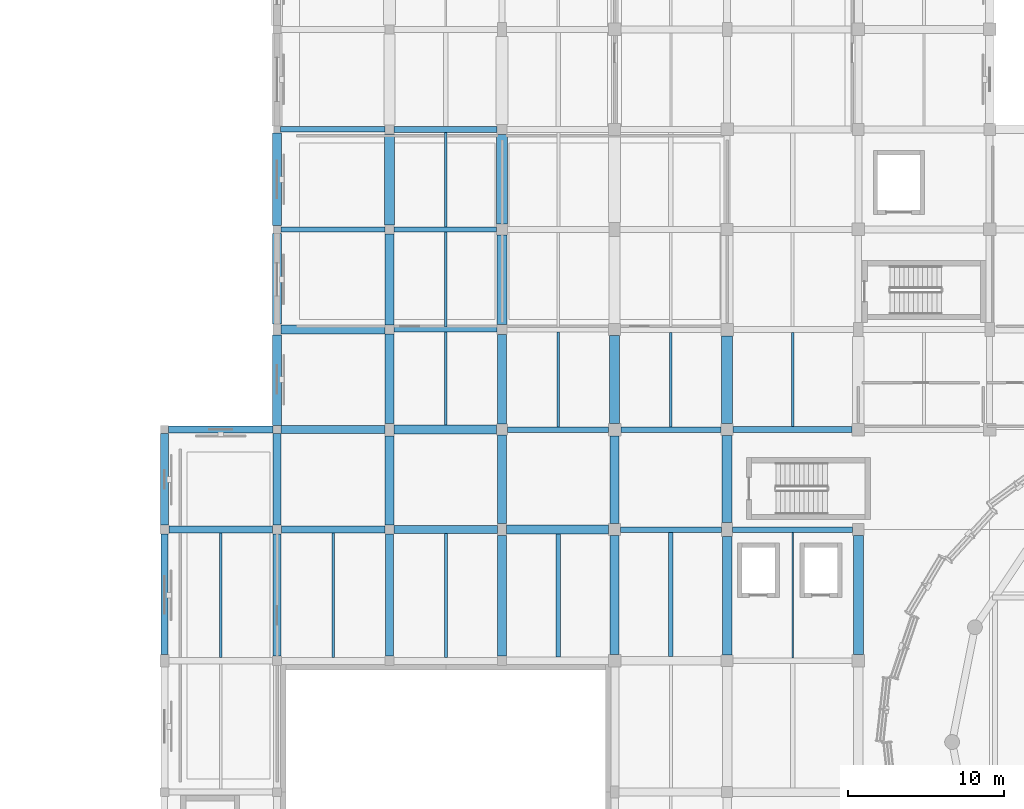
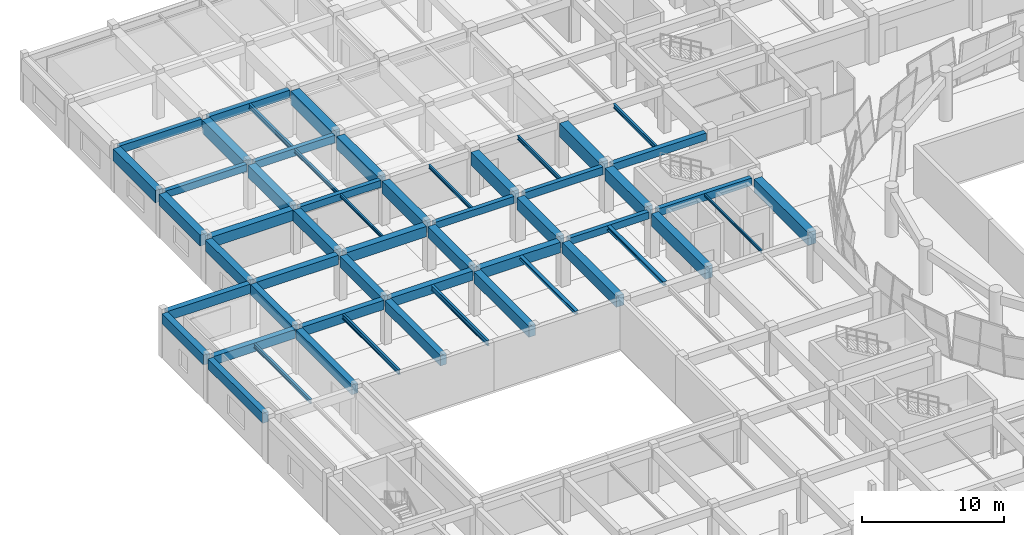
# One storey, part 32 of 71: 54 beams.
"""IFC4 building model written with IfcOpenShell, lengths in metres."""

from ifc_helpers import new_model, si_unit, direction, frame, origin, origin_2d, place, context, subcontext, project, spatial, rectangle, i_section, extrude, material, material_profile, profile_set, type_object, element, save


model = new_model("IFC4")

# Units and contexts
model_context = context("Model", 3, precision=1e-05, world=origin(), true_north=direction((0.0, 1.0)))
body_context = subcontext(model_context, "Body", "Model", "MODEL_VIEW")
ifc_project = project(units=[si_unit("LENGTHUNIT", "METRE"), si_unit("AREAUNIT", "SQUARE_METRE"), si_unit("VOLUMEUNIT", "CUBIC_METRE"), si_unit("PLANEANGLEUNIT", "RADIAN"), si_unit("MASSUNIT", "GRAM", prefix="KILO")], contexts=[model_context])

# Site, building, storey
site_placement = place(None, origin())
site = spatial("IfcSite", under=ifc_project, at=site_placement, CompositionType="ELEMENT")
building_placement = place(site_placement, origin())
building = spatial("IfcBuilding", under=site, at=building_placement, Name="Korsvaeld Concert Hall", CompositionType="ELEMENT")
storey_placement = place(building_placement, frame((0.0, 0.0, 4.800048828125)))
storey = spatial("IfcBuildingStorey", under=building, at=storey_placement, Name="L01", CompositionType="ELEMENT", Elevation=4.800048828125)

# Beams
ifc_material_1 = material(Name="Concrete C35/45", Category="concrete")
ifc_material_profile_1 = material_profile(ifc_material_1, rectangle(XDim=0.35009765625, YDim=0.60009765625, at=origin_2d()), Name="RC 350x600")
ifc_profile_set_1 = profile_set([ifc_material_profile_1], Name="Concrete C35/45")
beam_type_1 = type_object("IfcBeamType", Name="BM-RC-350x600", PredefinedType="T_BEAM", material=ifc_profile_set_1)
beam_1_placement = place(storey_placement, frame((43.574951171875, 76.800048828125, 3.5400390625), z_axis=(1.0, 0.0, 0.0), x_axis=(0.0, 1.0, 0.0)))
element("IfcBeam", 1, at=beam_1_placement, inside=storey, type_object=beam_type_1, Name="Primary girder 7-8/L L01", PredefinedType="T_BEAM", context=body_context, shape_type="SweptSolid", body=[
    extrude(rectangle(XDim=0.35009765625, YDim=0.60009765625, at=origin_2d()), origin(), (0.0, 0.0, 1.0), 6.47509765625),
])
beam_2_placement = place(storey_placement, frame((36.35009765625, 83.199951171875, 3.5400390625), z_axis=(1.0, 0.0, 0.0), x_axis=(0.0, 1.0, 0.0)))
element("IfcBeam", 2, at=beam_2_placement, inside=storey, type_object=beam_type_1, Name="Primary girder 6-7/M L01", PredefinedType="T_BEAM", context=body_context, shape_type="SweptSolid", body=[
    extrude(rectangle(XDim=0.35009765625, YDim=0.60009765625, at=origin_2d()), origin(), (0.0, 0.0, 1.0), 6.449951171875),
])
beam_3_placement = place(storey_placement, frame((29.074951171875, 89.60009765625, 3.5400390625), z_axis=(1.0, 0.0, 0.0), x_axis=(0.0, 1.0, 0.0)))
element("IfcBeam", 3, at=beam_3_placement, inside=storey, type_object=beam_type_1, Name="Primary girder 5-6/N L01", PredefinedType="T_BEAM", context=body_context, shape_type="SweptSolid", body=[
    extrude(rectangle(XDim=0.35009765625, YDim=0.60009765625, at=origin_2d()), origin(), (0.0, 0.0, 1.0), 6.60009765625),
])
beam_4_placement = place(storey_placement, frame((21.85009765625, 96.0, 3.5400390625), z_axis=(1.0, 0.0, 0.0), x_axis=(0.0, 1.0, 0.0)))
element("IfcBeam", 4, at=beam_4_placement, inside=storey, type_object=beam_type_1, Name="Primary girder 4-5/P L01", PredefinedType="T_BEAM", context=body_context, shape_type="SweptSolid", body=[
    extrude(rectangle(XDim=0.35009765625, YDim=0.60009765625, at=origin_2d()), origin(), (0.0, 0.0, 1.0), 6.64990234375),
])
ifc_material_profile_2 = material_profile(ifc_material_1, rectangle(XDim=0.35009765625, YDim=0.64990234375, at=origin_2d()), Name="RC 350x650")
ifc_profile_set_2 = profile_set([ifc_material_profile_2], Name="Concrete C35/45")
beam_type_2 = type_object("IfcBeamType", Name="BM-RC-350x650", PredefinedType="T_BEAM", material=ifc_profile_set_2)
beam_5_placement = place(storey_placement, frame((50.75, 76.800048828125, 3.514892578125), z_axis=(1.0, 0.0, 0.0), x_axis=(0.0, 1.0, 0.0)))
element("IfcBeam", 5, at=beam_5_placement, inside=storey, type_object=beam_type_2, Name="Primary girder 8-9/L L01", PredefinedType="T_BEAM", context=body_context, shape_type="SweptSolid", body=[
    extrude(rectangle(XDim=0.35009765625, YDim=0.64990234375, at=origin_2d()), origin(), (0.0, 0.0, 1.0), 7.675048828125),
])
beam_6_placement = place(storey_placement, frame((43.60009765625, 83.199951171875, 3.514892578125), z_axis=(1.0, 0.0, 0.0), x_axis=(0.0, 1.0, 0.0)))
element("IfcBeam", 6, at=beam_6_placement, inside=storey, type_object=beam_type_2, Name="Primary girder 7-8/M L01", PredefinedType="T_BEAM", context=body_context, shape_type="SweptSolid", body=[
    extrude(rectangle(XDim=0.35009765625, YDim=0.64990234375, at=origin_2d()), origin(), (0.0, 0.0, 1.0), 6.4248046875),
])
beam_7_placement = place(storey_placement, frame((29.10009765625, 96.0, 3.514892578125), z_axis=(1.0, 0.0, 0.0), x_axis=(0.0, 1.0, 0.0)))
element("IfcBeam", 7, at=beam_7_placement, inside=storey, type_object=beam_type_2, Name="Primary girder 5-6/P L01", PredefinedType="T_BEAM", context=body_context, shape_type="SweptSolid", body=[
    extrude(rectangle(XDim=0.35009765625, YDim=0.64990234375, at=origin_2d()), origin(), (0.0, 0.0, 1.0), 6.5498046875),
])
beam_8_placement = place(storey_placement, frame((21.824951171875, 102.39990234375, 3.514892578125), z_axis=(1.0, 0.0, 0.0), x_axis=(0.0, 1.0, 0.0)))
element("IfcBeam", 8, at=beam_8_placement, inside=storey, type_object=beam_type_2, Name="Primary girder 4-5/Q L01", PredefinedType="T_BEAM", context=body_context, shape_type="SweptSolid", body=[
    extrude(rectangle(XDim=0.35009765625, YDim=0.64990234375, at=origin_2d()), origin(), (0.0, 0.0, 1.0), 6.699951171875),
])
ifc_material_profile_3 = material_profile(ifc_material_1, rectangle(XDim=0.39990234375, YDim=0.64990234375, at=origin_2d()), Name="RC 400x650")
ifc_profile_set_3 = profile_set([ifc_material_profile_3], Name="Concrete C35/45")
beam_type_3 = type_object("IfcBeamType", Name="BM-RC-400x650", PredefinedType="T_BEAM", material=ifc_profile_set_3)
beam_9_placement = place(storey_placement, frame((50.77490234375, 83.199951171875, 3.514892578125), z_axis=(1.0, 0.0, 0.0), x_axis=(0.0, 1.0, 0.0)))
element("IfcBeam", 9, at=beam_9_placement, inside=storey, type_object=beam_type_3, Name="Primary girder 8-9/M L01", PredefinedType="T_BEAM", context=body_context, shape_type="SweptSolid", body=[
    extrude(rectangle(XDim=0.39990234375, YDim=0.64990234375, at=origin_2d()), origin(), (0.0, 0.0, 1.0), 7.625),
])
beam_10_placement = place(storey_placement, frame((29.074951171875, 102.39990234375, 3.514892578125), z_axis=(1.0, 0.0, 0.0), x_axis=(0.0, 1.0, 0.0)))
element("IfcBeam", 10, at=beam_10_placement, inside=storey, type_object=beam_type_3, Name="Primary girder 5-6/Q L01", PredefinedType="T_BEAM", context=body_context, shape_type="SweptSolid", body=[
    extrude(rectangle(XDim=0.39990234375, YDim=0.64990234375, at=origin_2d()), origin(), (0.0, 0.0, 1.0), 6.60009765625),
])
ifc_material_profile_4 = material_profile(ifc_material_1, rectangle(XDim=0.449951171875, YDim=0.75, at=origin_2d()), Name="RC 450x750")
ifc_profile_set_4 = profile_set([ifc_material_profile_4], Name="Concrete C35/45")
beam_type_4 = type_object("IfcBeamType", Name="BM-RC-450x750", PredefinedType="T_BEAM", material=ifc_profile_set_4)
beam_11_placement = place(storey_placement, frame((14.675048828125, 76.800048828125, 3.46484375), z_axis=(1.0, 0.0, 0.0), x_axis=(0.0, 1.0, 0.0)))
element("IfcBeam", 11, at=beam_11_placement, inside=storey, type_object=beam_type_4, Name="Primary girder 3-4/L L01", PredefinedType="T_BEAM", context=body_context, shape_type="SweptSolid", body=[
    extrude(rectangle(XDim=0.449951171875, YDim=0.75, at=origin_2d()), origin(), (0.0, 0.0, 1.0), 6.64990234375),
])
ifc_material_profile_5 = material_profile(ifc_material_1, rectangle(XDim=0.449951171875, YDim=0.800048828125, at=origin_2d()), Name="RC 450x800")
ifc_profile_set_5 = profile_set([ifc_material_profile_5], Name="Concrete C35/45")
beam_type_5 = type_object("IfcBeamType", Name="BM-RC-450x800", PredefinedType="T_BEAM", material=ifc_profile_set_5)
beam_12_placement = place(storey_placement, frame((21.875, 76.800048828125, 3.43994140625), z_axis=(1.0, 0.0, 0.0), x_axis=(0.0, 1.0, 0.0)))
element("IfcBeam", 12, at=beam_12_placement, inside=storey, type_object=beam_type_5, Name="Primary girder 4-5/L L01", PredefinedType="T_BEAM", context=body_context, shape_type="SweptSolid", body=[
    extrude(rectangle(XDim=0.449951171875, YDim=0.800048828125, at=origin_2d()), origin(), (0.0, 0.0, 1.0), 6.64990234375),
])
beam_13_placement = place(storey_placement, frame((14.64990234375, 83.199951171875, 3.43994140625), z_axis=(1.0, 0.0, 0.0), x_axis=(0.0, 1.0, 0.0)))
element("IfcBeam", 13, at=beam_13_placement, inside=storey, type_object=beam_type_5, Name="Primary girder 3-4/M L01", PredefinedType="T_BEAM", context=body_context, shape_type="SweptSolid", body=[
    extrude(rectangle(XDim=0.449951171875, YDim=0.800048828125, at=origin_2d()), origin(), (0.0, 0.0, 1.0), 6.7001953125),
])
ifc_material_2 = material(Name="Concrete C40/50", Category="concrete")
ifc_material_profile_6 = material_profile(ifc_material_2, rectangle(XDim=0.449951171875, YDim=0.85009765625, at=origin_2d()), Name="RC 450x850")
ifc_profile_set_6 = profile_set([ifc_material_profile_6], Name="Concrete C40/50")
beam_type_6 = type_object("IfcBeamType", Name="BM-RC-450x850", PredefinedType="T_BEAM", material=ifc_profile_set_6)
beam_14_placement = place(storey_placement, frame((14.39990234375, 68.800048828125, 3.4150390625), z_axis=(0.0, 1.0, 0.0), x_axis=(-1.0, 0.0, 0.0)))
element("IfcBeam", 14, at=beam_14_placement, inside=storey, type_object=beam_type_6, Name="Primary girder 3/K-L L01", PredefinedType="T_BEAM", context=body_context, shape_type="SweptSolid", body=[
    extrude(rectangle(XDim=0.449951171875, YDim=0.85009765625, at=origin_2d()), origin(), (0.0, 0.0, 1.0), 7.724853515625),
])
ifc_material_profile_7 = material_profile(ifc_material_2, rectangle(XDim=0.5, YDim=0.800048828125, at=origin_2d()), Name="RC 500x800")
ifc_profile_set_7 = profile_set([ifc_material_profile_7], Name="Concrete C40/50")
beam_type_7 = type_object("IfcBeamType", Name="BM-RC-500x800", PredefinedType="T_BEAM", material=ifc_profile_set_7)
beam_15_placement = place(storey_placement, frame((29.074951171875, 76.800048828125, 3.43994140625), z_axis=(1.0, 0.0, 0.0), x_axis=(0.0, 1.0, 0.0)))
element("IfcBeam", 15, at=beam_15_placement, inside=storey, type_object=beam_type_7, Name="Primary girder 5-6/L L01", PredefinedType="T_BEAM", context=body_context, shape_type="SweptSolid", body=[
    extrude(rectangle(XDim=0.5, YDim=0.800048828125, at=origin_2d()), origin(), (0.0, 0.0, 1.0), 6.650146484375),
])
beam_16_placement = place(storey_placement, frame((21.85009765625, 83.199951171875, 3.43994140625), z_axis=(1.0, 0.0, 0.0), x_axis=(0.0, 1.0, 0.0)))
element("IfcBeam", 16, at=beam_16_placement, inside=storey, type_object=beam_type_7, Name="Primary girder 4-5/M L01", PredefinedType="T_BEAM", context=body_context, shape_type="SweptSolid", body=[
    extrude(rectangle(XDim=0.5, YDim=0.800048828125, at=origin_2d()), origin(), (0.0, 0.0, 1.0), 6.64990234375),
])
ifc_material_profile_8 = material_profile(ifc_material_2, rectangle(XDim=0.5, YDim=0.85009765625, at=origin_2d()), Name="RC 500x850")
ifc_profile_set_8 = profile_set([ifc_material_profile_8], Name="Concrete C40/50")
beam_type_8 = type_object("IfcBeamType", Name="BM-RC-500x850", PredefinedType="T_BEAM", material=ifc_profile_set_8)
beam_17_placement = place(storey_placement, frame((14.39990234375, 77.074951171875, 3.4150390625), z_axis=(0.0, 1.0, 0.0), x_axis=(-1.0, 0.0, 0.0)))
element("IfcBeam", 17, at=beam_17_placement, inside=storey, type_object=beam_type_8, Name="Primary girder 3/L-M L01", PredefinedType="T_BEAM", context=body_context, shape_type="SweptSolid", body=[
    extrude(rectangle(XDim=0.5, YDim=0.85009765625, at=origin_2d()), origin(), (0.0, 0.0, 1.0), 5.875),
])
beam_18_placement = place(storey_placement, frame((21.60009765625, 68.699951171875, 3.4150390625), z_axis=(0.0, 1.0, 0.0), x_axis=(-1.0, 0.0, 0.0)))
element("IfcBeam", 18, at=beam_18_placement, inside=storey, type_object=beam_type_8, Name="Primary girder 4/K-L L01", PredefinedType="T_BEAM", context=body_context, shape_type="SweptSolid", body=[
    extrude(rectangle(XDim=0.5, YDim=0.85009765625, at=origin_2d()), origin(), (0.0, 0.0, 1.0), 7.824951171875),
])
ifc_material_profile_9 = material_profile(ifc_material_2, rectangle(XDim=0.5, YDim=0.89990234375, at=origin_2d()), Name="RC 500x900")
ifc_profile_set_9 = profile_set([ifc_material_profile_9], Name="Concrete C40/50")
beam_type_9 = type_object("IfcBeamType", Name="BM-RC-500x900", PredefinedType="T_BEAM", material=ifc_profile_set_9)
beam_19_placement = place(storey_placement, frame((21.60009765625, 77.074951171875, 3.389892578125), z_axis=(0.0, 1.0, 0.0), x_axis=(-1.0, 0.0, 0.0)))
element("IfcBeam", 19, at=beam_19_placement, inside=storey, type_object=beam_type_9, Name="Primary girder 4/L-M L01", PredefinedType="T_BEAM", context=body_context, shape_type="SweptSolid", body=[
    extrude(rectangle(XDim=0.5, YDim=0.89990234375, at=origin_2d()), origin(), (0.0, 0.0, 1.0), 5.875),
])
beam_20_placement = place(storey_placement, frame((28.800048828125, 68.699951171875, 3.389892578125), z_axis=(0.0, 1.0, 0.0), x_axis=(-1.0, 0.0, 0.0)))
element("IfcBeam", 20, at=beam_20_placement, inside=storey, type_object=beam_type_9, Name="Primary girder 5/K-L L01", PredefinedType="T_BEAM", context=body_context, shape_type="SweptSolid", body=[
    extrude(rectangle(XDim=0.5, YDim=0.89990234375, at=origin_2d()), origin(), (0.0, 0.0, 1.0), 7.824951171875),
])
ifc_material_profile_10 = material_profile(ifc_material_2, rectangle(XDim=0.550048828125, YDim=0.89990234375, at=origin_2d()), Name="RC 550x900")
ifc_profile_set_10 = profile_set([ifc_material_profile_10], Name="Concrete C40/50")
beam_type_10 = type_object("IfcBeamType", Name="BM-RC-550x900", PredefinedType="T_BEAM", material=ifc_profile_set_10)
beam_21_placement = place(storey_placement, frame((36.27490234375, 76.800048828125, 3.389892578125), z_axis=(1.0, 0.0, 0.0), x_axis=(0.0, 1.0, 0.0)))
element("IfcBeam", 21, at=beam_21_placement, inside=storey, type_object=beam_type_10, Name="Primary girder 6-7/L L01", PredefinedType="T_BEAM", context=body_context, shape_type="SweptSolid", body=[
    extrude(rectangle(XDim=0.550048828125, YDim=0.89990234375, at=origin_2d()), origin(), (0.0, 0.0, 1.0), 6.550048828125),
])
beam_22_placement = place(storey_placement, frame((29.10009765625, 83.199951171875, 3.389892578125), z_axis=(1.0, 0.0, 0.0), x_axis=(0.0, 1.0, 0.0)))
element("IfcBeam", 22, at=beam_22_placement, inside=storey, type_object=beam_type_10, Name="Primary girder 5-6/M L01", PredefinedType="T_BEAM", context=body_context, shape_type="SweptSolid", body=[
    extrude(rectangle(XDim=0.550048828125, YDim=0.89990234375, at=origin_2d()), origin(), (0.0, 0.0, 1.0), 6.5498046875),
])
beam_23_placement = place(storey_placement, frame((21.85009765625, 89.60009765625, 3.389892578125), z_axis=(1.0, 0.0, 0.0), x_axis=(0.0, 1.0, 0.0)))
element("IfcBeam", 23, at=beam_23_placement, inside=storey, type_object=beam_type_10, Name="Primary girder 4-5/N L01", PredefinedType="T_BEAM", context=body_context, shape_type="SweptSolid", body=[
    extrude(rectangle(XDim=0.550048828125, YDim=0.89990234375, at=origin_2d()), origin(), (0.0, 0.0, 1.0), 6.6748046875),
])
ifc_material_profile_11 = material_profile(ifc_material_2, rectangle(XDim=0.550048828125, YDim=0.949951171875, at=origin_2d()), Name="RC 550x950")
ifc_profile_set_11 = profile_set([ifc_material_profile_11], Name="Concrete C40/50")
beam_type_11 = type_object("IfcBeamType", Name="BM-RC-550x950", PredefinedType="T_BEAM", material=ifc_profile_set_11)
beam_24_placement = place(storey_placement, frame((21.60009765625, 83.449951171875, 3.364990234375), z_axis=(0.0, 1.0, 0.0), x_axis=(-1.0, 0.0, 0.0)))
element("IfcBeam", 24, at=beam_24_placement, inside=storey, type_object=beam_type_11, Name="Primary girder 4/M-N L01", PredefinedType="T_BEAM", context=body_context, shape_type="SweptSolid", body=[
    extrude(rectangle(XDim=0.550048828125, YDim=0.949951171875, at=origin_2d()), origin(), (0.0, 0.0, 1.0), 5.800048828125),
])
beam_25_placement = place(storey_placement, frame((28.800048828125, 77.074951171875, 3.364990234375), z_axis=(0.0, 1.0, 0.0), x_axis=(-1.0, 0.0, 0.0)))
element("IfcBeam", 25, at=beam_25_placement, inside=storey, type_object=beam_type_11, Name="Primary girder 5/L-M L01", PredefinedType="T_BEAM", context=body_context, shape_type="SweptSolid", body=[
    extrude(rectangle(XDim=0.550048828125, YDim=0.949951171875, at=origin_2d()), origin(), (0.0, 0.0, 1.0), 5.72509765625),
])
beam_26_placement = place(storey_placement, frame((36.0, 68.699951171875, 3.364990234375), z_axis=(0.0, 1.0, 0.0), x_axis=(-1.0, 0.0, 0.0)))
element("IfcBeam", 26, at=beam_26_placement, inside=storey, type_object=beam_type_11, Name="Primary girder 6/K-L L01", PredefinedType="T_BEAM", context=body_context, shape_type="SweptSolid", body=[
    extrude(rectangle(XDim=0.550048828125, YDim=0.949951171875, at=origin_2d()), origin(), (0.0, 0.0, 1.0), 7.72509765625),
])
ifc_material_profile_12 = material_profile(ifc_material_2, rectangle(XDim=0.60009765625, YDim=1.050048828125, at=origin_2d()), Name="RC 600x1050")
ifc_profile_set_12 = profile_set([ifc_material_profile_12], Name="Concrete C40/50")
beam_type_12 = type_object("IfcBeamType", Name="BM-RC-600x1050", PredefinedType="T_BEAM", material=ifc_profile_set_12)
beam_27_placement = place(storey_placement, frame((21.60009765625, 96.25, 3.31494140625), z_axis=(0.0, 1.0, 0.0), x_axis=(-1.0, 0.0, 0.0)))
element("IfcBeam", 27, at=beam_27_placement, inside=storey, type_object=beam_type_12, Name="Primary girder 4/P-Q L01", PredefinedType="T_BEAM", context=body_context, shape_type="SweptSolid", body=[
    extrude(rectangle(XDim=0.60009765625, YDim=1.050048828125, at=origin_2d()), origin(), (0.0, 0.0, 1.0), 5.925048828125),
])
beam_28_placement = place(storey_placement, frame((28.800048828125, 89.875, 3.31494140625), z_axis=(0.0, 1.0, 0.0), x_axis=(-1.0, 0.0, 0.0)))
element("IfcBeam", 28, at=beam_28_placement, inside=storey, type_object=beam_type_12, Name="Primary girder 5/N-P L01", PredefinedType="T_BEAM", context=body_context, shape_type="SweptSolid", body=[
    extrude(rectangle(XDim=0.60009765625, YDim=1.050048828125, at=origin_2d()), origin(), (0.0, 0.0, 1.0), 5.824951171875),
])
beam_29_placement = place(storey_placement, frame((36.0, 83.550048828125, 3.31494140625), z_axis=(0.0, 1.0, 0.0), x_axis=(-1.0, 0.0, 0.0)))
element("IfcBeam", 29, at=beam_29_placement, inside=storey, type_object=beam_type_12, Name="Primary girder 6/M-N L01", PredefinedType="T_BEAM", context=body_context, shape_type="SweptSolid", body=[
    extrude(rectangle(XDim=0.60009765625, YDim=1.050048828125, at=origin_2d()), origin(), (0.0, 0.0, 1.0), 5.724853515625),
])
beam_30_placement = place(storey_placement, frame((43.199951171875, 77.175048828125, 3.31494140625), z_axis=(0.0, 1.0, 0.0), x_axis=(-1.0, 0.0, 0.0)))
element("IfcBeam", 30, at=beam_30_placement, inside=storey, type_object=beam_type_12, Name="Primary girder 7/L-M L01", PredefinedType="T_BEAM", context=body_context, shape_type="SweptSolid", body=[
    extrude(rectangle(XDim=0.60009765625, YDim=1.050048828125, at=origin_2d()), origin(), (0.0, 0.0, 1.0), 5.625),
])
beam_31_placement = place(storey_placement, frame((50.39990234375, 68.77490234375, 3.31494140625), z_axis=(0.0, 1.0, 0.0), x_axis=(-1.0, 0.0, 0.0)))
element("IfcBeam", 31, at=beam_31_placement, inside=storey, type_object=beam_type_12, Name="Primary girder 8/K-L L01", PredefinedType="T_BEAM", context=body_context, shape_type="SweptSolid", body=[
    extrude(rectangle(XDim=0.60009765625, YDim=1.050048828125, at=origin_2d()), origin(), (0.0, 0.0, 1.0), 7.5751953125),
])
ifc_material_profile_13 = material_profile(ifc_material_2, rectangle(XDim=0.60009765625, YDim=0.949951171875, at=origin_2d()), Name="RC 600x950")
ifc_profile_set_13 = profile_set([ifc_material_profile_13], Name="Concrete C40/50")
beam_type_13 = type_object("IfcBeamType", Name="BM-RC-600x950", PredefinedType="T_BEAM", material=ifc_profile_set_13)
beam_32_placement = place(storey_placement, frame((21.60009765625, 89.949951171875, 3.364990234375), z_axis=(0.0, 1.0, 0.0), x_axis=(-1.0, 0.0, 0.0)))
element("IfcBeam", 32, at=beam_32_placement, inside=storey, type_object=beam_type_13, Name="Primary girder 4/N-P L01", PredefinedType="T_BEAM", context=body_context, shape_type="SweptSolid", body=[
    extrude(rectangle(XDim=0.60009765625, YDim=0.949951171875, at=origin_2d()), origin(), (0.0, 0.0, 1.0), 5.800048828125),
])
beam_33_placement = place(storey_placement, frame((28.800048828125, 83.60009765625, 3.364990234375), z_axis=(0.0, 1.0, 0.0), x_axis=(-1.0, 0.0, 0.0)))
element("IfcBeam", 33, at=beam_33_placement, inside=storey, type_object=beam_type_13, Name="Primary girder 5/M-N L01", PredefinedType="T_BEAM", context=body_context, shape_type="SweptSolid", body=[
    extrude(rectangle(XDim=0.60009765625, YDim=0.949951171875, at=origin_2d()), origin(), (0.0, 0.0, 1.0), 5.724853515625),
])
beam_34_placement = place(storey_placement, frame((36.0, 77.175048828125, 3.364990234375), z_axis=(0.0, 1.0, 0.0), x_axis=(-1.0, 0.0, 0.0)))
element("IfcBeam", 34, at=beam_34_placement, inside=storey, type_object=beam_type_13, Name="Primary girder 6/L-M L01", PredefinedType="T_BEAM", context=body_context, shape_type="SweptSolid", body=[
    extrude(rectangle(XDim=0.60009765625, YDim=0.949951171875, at=origin_2d()), origin(), (0.0, 0.0, 1.0), 5.675048828125),
])
beam_35_placement = place(storey_placement, frame((43.199951171875, 68.800048828125, 3.364990234375), z_axis=(0.0, 1.0, 0.0), x_axis=(-1.0, 0.0, 0.0)))
element("IfcBeam", 35, at=beam_35_placement, inside=storey, type_object=beam_type_13, Name="Primary girder 7/K-L L01", PredefinedType="T_BEAM", context=body_context, shape_type="SweptSolid", body=[
    extrude(rectangle(XDim=0.60009765625, YDim=0.949951171875, at=origin_2d()), origin(), (0.0, 0.0, 1.0), 7.625),
])
ifc_material_profile_14 = material_profile(ifc_material_2, rectangle(XDim=0.64990234375, YDim=1.10009765625, at=origin_2d()), Name="RC 650x1100")
ifc_profile_set_14 = profile_set([ifc_material_profile_14], Name="Concrete C40/50")
beam_type_14 = type_object("IfcBeamType", Name="BM-RC-650x1100", PredefinedType="T_BEAM", material=ifc_profile_set_14)
beam_36_placement = place(storey_placement, frame((28.800048828125, 96.300048828125, 3.2900390625), z_axis=(0.0, 1.0, 0.0), x_axis=(-1.0, 0.0, 0.0)))
element("IfcBeam", 36, at=beam_36_placement, inside=storey, type_object=beam_type_14, Name="Primary girder 5/P-Q L01", PredefinedType="T_BEAM", context=body_context, shape_type="SweptSolid", body=[
    extrude(rectangle(XDim=0.64990234375, YDim=1.10009765625, at=origin_2d()), origin(), (0.0, 0.0, 1.0), 5.824951171875),
])
beam_37_placement = place(storey_placement, frame((36.0, 89.925048828125, 3.2900390625), z_axis=(0.0, 1.0, 0.0), x_axis=(-1.0, 0.0, 0.0)))
element("IfcBeam", 37, at=beam_37_placement, inside=storey, type_object=beam_type_14, Name="Primary girder 6/N-P L01", PredefinedType="T_BEAM", context=body_context, shape_type="SweptSolid", body=[
    extrude(rectangle(XDim=0.64990234375, YDim=1.10009765625, at=origin_2d()), origin(), (0.0, 0.0, 1.0), 5.724853515625),
])
beam_38_placement = place(storey_placement, frame((43.199951171875, 83.60009765625, 3.2900390625), z_axis=(0.0, 1.0, 0.0), x_axis=(-1.0, 0.0, 0.0)))
element("IfcBeam", 38, at=beam_38_placement, inside=storey, type_object=beam_type_14, Name="Primary girder 7/M-N L01", PredefinedType="T_BEAM", context=body_context, shape_type="SweptSolid", body=[
    extrude(rectangle(XDim=0.64990234375, YDim=1.10009765625, at=origin_2d()), origin(), (0.0, 0.0, 1.0), 5.625),
])
beam_39_placement = place(storey_placement, frame((50.39990234375, 77.25, 3.2900390625), z_axis=(0.0, 1.0, 0.0), x_axis=(-1.0, 0.0, 0.0)))
element("IfcBeam", 39, at=beam_39_placement, inside=storey, type_object=beam_type_14, Name="Primary girder 8/L-M L01", PredefinedType="T_BEAM", context=body_context, shape_type="SweptSolid", body=[
    extrude(rectangle(XDim=0.64990234375, YDim=1.10009765625, at=origin_2d()), origin(), (0.0, 0.0, 1.0), 5.574951171875),
])
beam_40_placement = place(storey_placement, frame((58.800048828125, 68.800048828125, 3.2900390625), z_axis=(0.0, 1.0, 0.0), x_axis=(-1.0, 0.0, 0.0)))
element("IfcBeam", 40, at=beam_40_placement, inside=storey, type_object=beam_type_14, Name="Primary girder 9/K-L L01", PredefinedType="T_BEAM", context=body_context, shape_type="SweptSolid", body=[
    extrude(rectangle(XDim=0.64990234375, YDim=1.10009765625, at=origin_2d()), origin(), (0.0, 0.0, 1.0), 7.625),
])
ifc_material_profile_15 = material_profile(ifc_material_2, rectangle(XDim=0.699951171875, YDim=1.14990234375, at=origin_2d()), Name="RC 700x1150")
ifc_profile_set_15 = profile_set([ifc_material_profile_15], Name="Concrete C40/50")
beam_type_15 = type_object("IfcBeamType", Name="BM-RC-700x1150", PredefinedType="T_BEAM", material=ifc_profile_set_15)
beam_41_placement = place(storey_placement, frame((36.0, 96.35009765625, 3.264892578125), z_axis=(0.0, 1.0, 0.0), x_axis=(-1.0, 0.0, 0.0)))
element("IfcBeam", 41, at=beam_41_placement, inside=storey, type_object=beam_type_15, Name="Primary girder 6/P-Q L01", PredefinedType="T_BEAM", context=body_context, shape_type="SweptSolid", body=[
    extrude(rectangle(XDim=0.699951171875, YDim=1.14990234375, at=origin_2d()), origin(), (0.0, 0.0, 1.0), 5.724853515625),
])
beam_42_placement = place(storey_placement, frame((50.39990234375, 83.574951171875, 3.264892578125), z_axis=(0.0, 1.0, 0.0), x_axis=(-1.0, 0.0, 0.0)))
element("IfcBeam", 42, at=beam_42_placement, inside=storey, type_object=beam_type_15, Name="Primary girder 8/M-N L01", PredefinedType="T_BEAM", context=body_context, shape_type="SweptSolid", body=[
    extrude(rectangle(XDim=0.699951171875, YDim=1.14990234375, at=origin_2d()), origin(), (0.0, 0.0, 1.0), 5.625),
])
ifc_material_3 = material(Name="Steel S355J2", Category="steel")
ifc_material_profile_16 = material_profile(ifc_material_3, i_section(OverallWidth=0.280029296875, OverallDepth=0.27001953125, WebThickness=0.008056640625, FlangeThickness=0.012939453125, FilletRadius=0.02392578125, at=origin_2d()), Name="HEA 280")
ifc_profile_set_16 = profile_set([ifc_material_profile_16], Name="Steel S355J2")
beam_type_16 = type_object("IfcBeamType", Name="BM-STL-HEA280", PredefinedType="BEAM", material=ifc_profile_set_16)
beam_43_placement = place(storey_placement, frame((39.60009765625, 68.64990234375, 3.704833984375), z_axis=(0.0, 1.0, 0.0), x_axis=(-1.0, 0.0, 0.0)))
element("IfcBeam", 43, at=beam_43_placement, inside=storey, type_object=beam_type_16, Name="Secondary steel floor beam 6-7/K L01", PredefinedType="BEAM", context=body_context, shape_type="SweptSolid", body=[
    extrude(i_section(OverallWidth=0.280029296875, OverallDepth=0.27001953125, WebThickness=0.008056640625, FlangeThickness=0.012939453125, FilletRadius=0.02392578125, at=origin_2d()), origin(), (0.0, 0.0, 1.0), 7.875),
])
ifc_material_profile_17 = material_profile(ifc_material_3, i_section(OverallWidth=0.300048828125, OverallDepth=0.35009765625, WebThickness=0.010009765625, FlangeThickness=0.017578125, FilletRadius=0.027099609375, at=origin_2d()), Name="HEA 360")
ifc_profile_set_17 = profile_set([ifc_material_profile_17], Name="Steel S355J2")
beam_type_17 = type_object("IfcBeamType", Name="BM-STL-HEA360", PredefinedType="BEAM", material=ifc_profile_set_17)
beam_44_placement = place(storey_placement, frame((46.800048828125, 68.675048828125, 3.6650390625), z_axis=(0.0, 1.0, 0.0), x_axis=(-1.0, 0.0, 0.0)))
element("IfcBeam", 44, at=beam_44_placement, inside=storey, type_object=beam_type_17, Name="Secondary steel floor beam 7-8/K L01", PredefinedType="BEAM", context=body_context, shape_type="SweptSolid", body=[
    extrude(i_section(OverallWidth=0.300048828125, OverallDepth=0.35009765625, WebThickness=0.010009765625, FlangeThickness=0.017578125, FilletRadius=0.027099609375, at=origin_2d()), origin(), (0.0, 0.0, 1.0), 7.949951171875),
])
ifc_material_profile_18 = material_profile(ifc_material_3, i_section(OverallWidth=0.1201171875, OverallDepth=0.239990234375, WebThickness=0.006103515625, FlangeThickness=0.009765625, FilletRadius=0.014892578125, at=origin_2d()), Name="IPE 240")
ifc_profile_set_18 = profile_set([ifc_material_profile_18], Name="Steel S355J2")
beam_type_18 = type_object("IfcBeamType", Name="BM-STL-IPE240", PredefinedType="JOIST", material=ifc_profile_set_18)
beam_45_placement = place(storey_placement, frame((54.60009765625, 68.574951171875, 3.719970703125), z_axis=(0.0, 1.0, 0.0), x_axis=(-1.0, 0.0, 0.0)))
element("IfcBeam", 45, at=beam_45_placement, inside=storey, type_object=beam_type_18, Name="Secondary steel floor beam 8-9/K L01", PredefinedType="JOIST", context=body_context, shape_type="SweptSolid", body=[
    extrude(i_section(OverallWidth=0.1201171875, OverallDepth=0.239990234375, WebThickness=0.006103515625, FlangeThickness=0.009765625, FilletRadius=0.014892578125, at=origin_2d()), origin(), (0.0, 0.0, 1.0), 8.050048828125),
])
ifc_material_profile_19 = material_profile(ifc_material_3, i_section(OverallWidth=0.135009765625, OverallDepth=0.27001953125, WebThickness=0.006591796875, FlangeThickness=0.01025390625, FilletRadius=0.014892578125, at=origin_2d()), Name="IPE 270")
ifc_profile_set_19 = profile_set([ifc_material_profile_19], Name="Steel S355J2")
beam_type_19 = type_object("IfcBeamType", Name="BM-STL-IPE270", PredefinedType="JOIST", material=ifc_profile_set_19)
beam_46_placement = place(storey_placement, frame((32.39990234375, 83.47509765625, 3.704833984375), z_axis=(0.0, 1.0, 0.0), x_axis=(-1.0, 0.0, 0.0)))
element("IfcBeam", 46, at=beam_46_placement, inside=storey, type_object=beam_type_19, Name="Secondary steel floor beam 5-6/M L01", PredefinedType="JOIST", context=body_context, shape_type="SweptSolid", body=[
    extrude(i_section(OverallWidth=0.135009765625, OverallDepth=0.27001953125, WebThickness=0.006591796875, FlangeThickness=0.01025390625, FilletRadius=0.014892578125, at=origin_2d()), origin(), (0.0, 0.0, 1.0), 5.949951171875),
])
ifc_material_profile_20 = material_profile(ifc_material_3, i_section(OverallWidth=0.14990234375, OverallDepth=0.300048828125, WebThickness=0.007080078125, FlangeThickness=0.0107421875, FilletRadius=0.014892578125, at=origin_2d()), Name="IPE 300")
ifc_profile_set_20 = profile_set([ifc_material_profile_20], Name="Steel S355J2")
beam_type_20 = type_object("IfcBeamType", Name="BM-STL-IPE300", PredefinedType="JOIST", material=ifc_profile_set_20)
beam_47_placement = place(storey_placement, frame((39.60009765625, 83.375, 3.68994140625), z_axis=(0.0, 1.0, 0.0), x_axis=(-1.0, 0.0, 0.0)))
element("IfcBeam", 47, at=beam_47_placement, inside=storey, type_object=beam_type_20, Name="Secondary steel floor beam 6-7/M L01", PredefinedType="JOIST", context=body_context, shape_type="SweptSolid", body=[
    extrude(i_section(OverallWidth=0.14990234375, OverallDepth=0.300048828125, WebThickness=0.007080078125, FlangeThickness=0.0107421875, FilletRadius=0.014892578125, at=origin_2d()), origin(), (0.0, 0.0, 1.0), 6.050048828125),
])
ifc_material_profile_21 = material_profile(ifc_material_3, i_section(OverallWidth=0.159912109375, OverallDepth=0.330078125, WebThickness=0.007568359375, FlangeThickness=0.011474609375, FilletRadius=0.01806640625, at=origin_2d()), Name="IPE 330")
ifc_profile_set_21 = profile_set([ifc_material_profile_21], Name="Steel S355J2")
beam_type_21 = type_object("IfcBeamType", Name="BM-STL-IPE330", PredefinedType="BEAM", material=ifc_profile_set_21)
beam_48_placement = place(storey_placement, frame((32.39990234375, 89.77490234375, 3.675048828125), z_axis=(0.0, 1.0, 0.0), x_axis=(-1.0, 0.0, 0.0)))
element("IfcBeam", 48, at=beam_48_placement, inside=storey, type_object=beam_type_21, Name="Secondary steel floor beam 5-6/N L01", PredefinedType="BEAM", context=body_context, shape_type="SweptSolid", body=[
    extrude(i_section(OverallWidth=0.159912109375, OverallDepth=0.330078125, WebThickness=0.007568359375, FlangeThickness=0.011474609375, FilletRadius=0.01806640625, at=origin_2d()), origin(), (0.0, 0.0, 1.0), 6.050048828125),
])
beam_49_placement = place(storey_placement, frame((46.800048828125, 83.375, 3.675048828125), z_axis=(0.0, 1.0, 0.0), x_axis=(-1.0, 0.0, 0.0)))
element("IfcBeam", 49, at=beam_49_placement, inside=storey, type_object=beam_type_21, Name="Secondary steel floor beam 7-8/M L01", PredefinedType="BEAM", context=body_context, shape_type="SweptSolid", body=[
    extrude(i_section(OverallWidth=0.159912109375, OverallDepth=0.330078125, WebThickness=0.007568359375, FlangeThickness=0.011474609375, FilletRadius=0.01806640625, at=origin_2d()), origin(), (0.0, 0.0, 1.0), 6.02490234375),
])
ifc_material_profile_22 = material_profile(ifc_material_3, i_section(OverallWidth=0.169921875, OverallDepth=0.360107421875, WebThickness=0.008056640625, FlangeThickness=0.0126953125, FilletRadius=0.01806640625, at=origin_2d()), Name="IPE 360")
ifc_profile_set_22 = profile_set([ifc_material_profile_22], Name="Steel S355J2")
beam_type_22 = type_object("IfcBeamType", Name="BM-STL-IPE360", PredefinedType="BEAM", material=ifc_profile_set_22)
beam_50_placement = place(storey_placement, frame((18.0, 68.60009765625, 3.659912109375), z_axis=(0.0, 1.0, 0.0), x_axis=(-1.0, 0.0, 0.0)))
element("IfcBeam", 50, at=beam_50_placement, inside=storey, type_object=beam_type_22, Name="Secondary steel floor beam 3-4/K L01", PredefinedType="BEAM", context=body_context, shape_type="SweptSolid", body=[
    extrude(i_section(OverallWidth=0.169921875, OverallDepth=0.360107421875, WebThickness=0.008056640625, FlangeThickness=0.0126953125, FilletRadius=0.01806640625, at=origin_2d()), origin(), (0.0, 0.0, 1.0), 7.974853515625),
])
beam_51_placement = place(storey_placement, frame((54.60009765625, 83.39990234375, 3.659912109375), z_axis=(0.0, 1.0, 0.0), x_axis=(-1.0, 0.0, 0.0)))
element("IfcBeam", 51, at=beam_51_placement, inside=storey, type_object=beam_type_22, Name="Secondary steel floor beam 8-9/M L01", PredefinedType="BEAM", context=body_context, shape_type="SweptSolid", body=[
    extrude(i_section(OverallWidth=0.169921875, OverallDepth=0.360107421875, WebThickness=0.008056640625, FlangeThickness=0.0126953125, FilletRadius=0.01806640625, at=origin_2d()), origin(), (0.0, 0.0, 1.0), 6.0),
])
ifc_material_profile_23 = material_profile(ifc_material_3, i_section(OverallWidth=0.179931640625, OverallDepth=0.39990234375, WebThickness=0.008544921875, FlangeThickness=0.013427734375, FilletRadius=0.02099609375, at=origin_2d()), Name="IPE 400")
ifc_profile_set_23 = profile_set([ifc_material_profile_23], Name="Steel S355J2")
beam_type_23 = type_object("IfcBeamType", Name="BM-STL-IPE400", PredefinedType="BEAM", material=ifc_profile_set_23)
beam_52_placement = place(storey_placement, frame((25.199951171875, 68.625, 3.639892578125), z_axis=(0.0, 1.0, 0.0), x_axis=(-1.0, 0.0, 0.0)))
element("IfcBeam", 52, at=beam_52_placement, inside=storey, type_object=beam_type_23, Name="Secondary steel floor beam 4-5/K L01", PredefinedType="BEAM", context=body_context, shape_type="SweptSolid", body=[
    extrude(i_section(OverallWidth=0.179931640625, OverallDepth=0.39990234375, WebThickness=0.008544921875, FlangeThickness=0.013427734375, FilletRadius=0.02099609375, at=origin_2d()), origin(), (0.0, 0.0, 1.0), 7.949951171875),
])
beam_53_placement = place(storey_placement, frame((32.39990234375, 96.175048828125, 3.639892578125), z_axis=(0.0, 1.0, 0.0), x_axis=(-1.0, 0.0, 0.0)))
element("IfcBeam", 53, at=beam_53_placement, inside=storey, type_object=beam_type_23, Name="Secondary steel floor beam 5-6/P L01", PredefinedType="BEAM", context=body_context, shape_type="SweptSolid", body=[
    extrude(i_section(OverallWidth=0.179931640625, OverallDepth=0.39990234375, WebThickness=0.008544921875, FlangeThickness=0.013427734375, FilletRadius=0.02099609375, at=origin_2d()), origin(), (0.0, 0.0, 1.0), 6.02490234375),
])
ifc_material_profile_24 = material_profile(ifc_material_3, i_section(OverallWidth=0.18994140625, OverallDepth=0.449951171875, WebThickness=0.009521484375, FlangeThickness=0.0146484375, FilletRadius=0.02099609375, at=origin_2d()), Name="IPE 450")
ifc_profile_set_24 = profile_set([ifc_material_profile_24], Name="Steel S355J2")
beam_type_24 = type_object("IfcBeamType", Name="BM-STL-IPE450", PredefinedType="BEAM", material=ifc_profile_set_24)
beam_54_placement = place(storey_placement, frame((32.39990234375, 68.625, 3.614990234375), z_axis=(0.0, 1.0, 0.0), x_axis=(-1.0, 0.0, 0.0)))
element("IfcBeam", 54, at=beam_54_placement, inside=storey, type_object=beam_type_24, Name="Secondary steel floor beam 5-6/K L01", PredefinedType="BEAM", context=body_context, shape_type="SweptSolid", body=[
    extrude(i_section(OverallWidth=0.18994140625, OverallDepth=0.449951171875, WebThickness=0.009521484375, FlangeThickness=0.0146484375, FilletRadius=0.02099609375, at=origin_2d()), origin(), (0.0, 0.0, 1.0), 7.925048828125),
])

save(model, "model.ifc")
